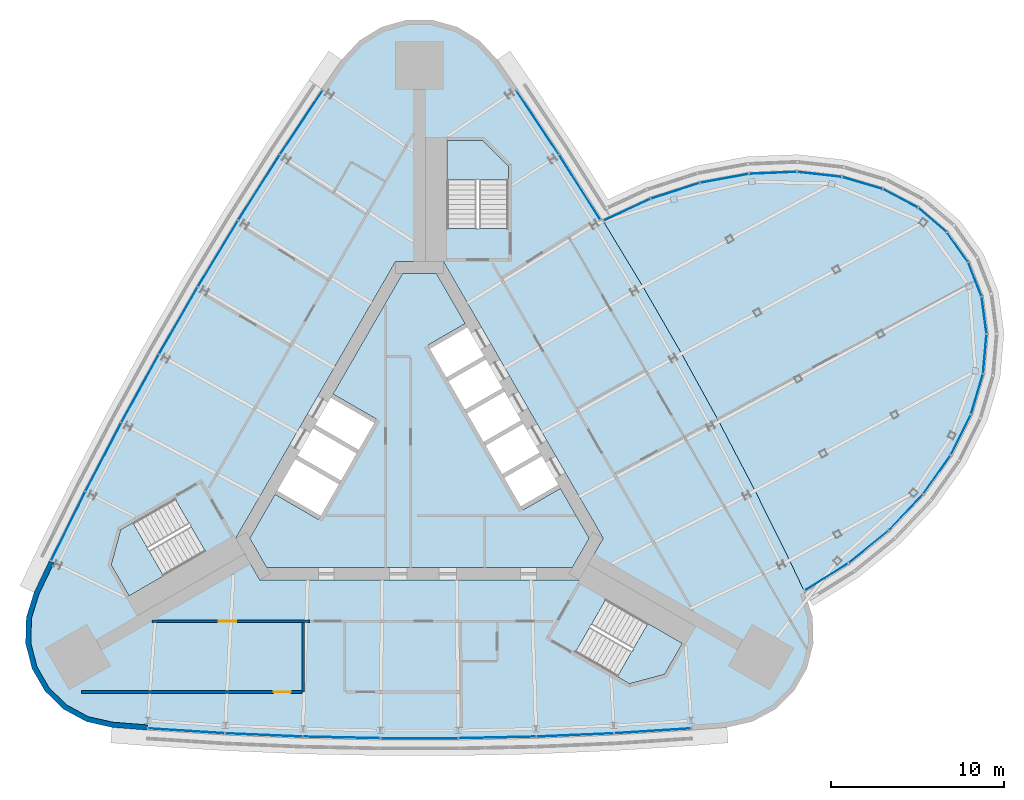
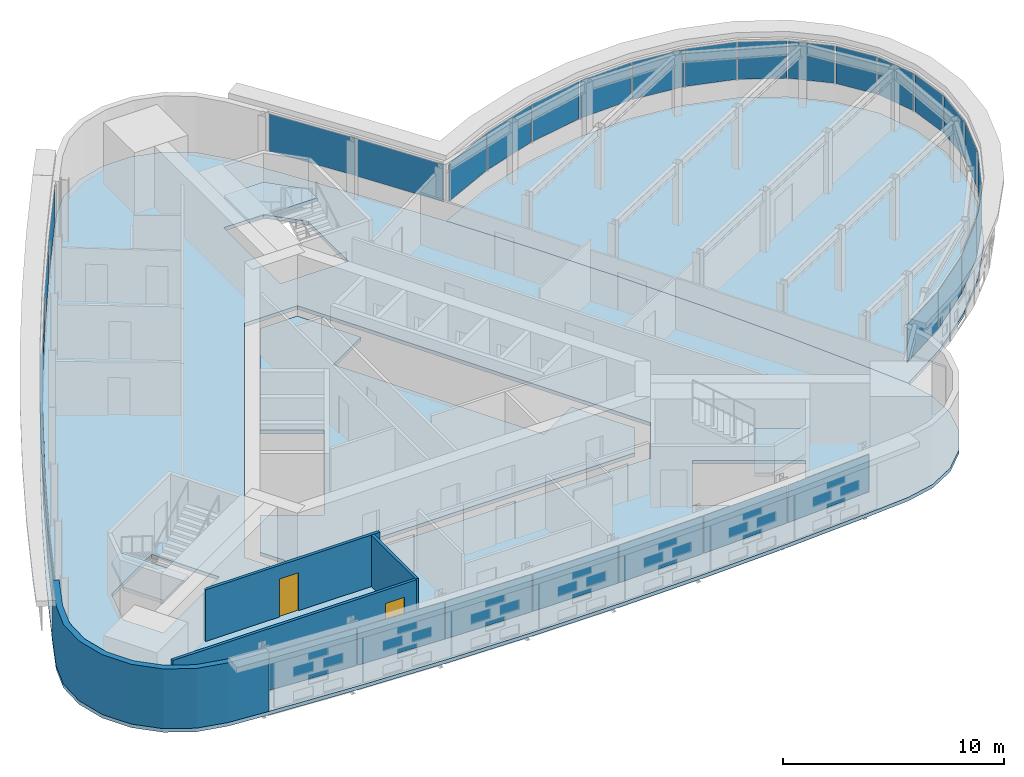
# One storey, part 9 of 15: 34 plates, 6 slabs, 4 walls, 2 doors, 2 openings, 7 elements without a shape of their own.
"""IFC4 building model written with IfcOpenShell, lengths in metres."""

from ifc_helpers import new_model, si_unit, direction, frame, frame_2d, origin, origin_2d, place, context, subcontext, project, spatial, polyline, rectangle, outline, extrude, material, layer, layer_set, type_object, element, fill, aggregate, save


model = new_model("IFC4")

# Units and contexts
model_context = context("Model", 3, precision=1e-05, world=origin(), true_north=direction((0.0, 1.0)))
body_context = subcontext(model_context, "Body", "Model", "MODEL_VIEW")
ifc_project = project(units=[si_unit("LENGTHUNIT", "METRE"), si_unit("AREAUNIT", "SQUARE_METRE"), si_unit("VOLUMEUNIT", "CUBIC_METRE"), si_unit("PLANEANGLEUNIT", "RADIAN"), si_unit("MASSUNIT", "GRAM", prefix="KILO")], contexts=[model_context])

# Site, building, storey
site_placement = place(None, origin())
site = spatial("IfcSite", under=ifc_project, at=site_placement, CompositionType="ELEMENT")
building_placement = place(site_placement, origin())
building = spatial("IfcBuilding", under=site, at=building_placement, Name="Noor Cloister Tower", CompositionType="ELEMENT")
storey_placement = place(building_placement, frame((0.0, 0.0, 181.5)))
storey = spatial("IfcBuildingStorey", under=building, at=storey_placement, Name="L46", CompositionType="ELEMENT", Elevation=181.5)

# Slabs
ifc_material_1 = material(Name="Concrete C40/50", Category="concrete")
ifc_layer_1 = layer(ifc_material_1, 0.199951171875)
ifc_layer_set_1 = layer_set([ifc_layer_1], Name="Core floor slab 200 C40/50")
slab_type_1 = type_object("IfcSlabType", Name="Core floor slab 200 C40/50", PredefinedType="FLOOR", material=ifc_layer_set_1)
slab_1_placement = place(storey_placement, frame((0.0, 0.0, -0.199951171875)))
element("IfcSlab", 1, at=slab_1_placement, inside=storey, type_object=slab_type_1, Name="Core floor L46", PredefinedType="FLOOR", context=body_context, shape_type="SweptSolid", body=[
    extrude(outline(polyline([(2.643798828125, 7.877197265625), (0.9814453125, 10.75634765625), (-0.9814453125, 10.75634765625), (-4.993896484375, 3.806884765625), (-2.482421875, 2.35693359375), (-5.832275390625, -3.4453125), (-8.34375, -1.995361328125), (-9.80615234375, -4.5283203125), (-8.82470703125, -6.228271484375), (8.82470703125, -6.228271484375), (9.80615234375, -4.5283203125), (8.143798828125, -1.64892578125), (5.978759765625, -2.89892578125), (0.478759765625, 6.627197265625), (2.643798828125, 7.877197265625)])), origin(), (0.0, 0.0, 1.0), 0.199951171875),
])
ifc_material_2 = material(Name="Concrete C40/50", Category="concrete")
ifc_layer_2 = layer(ifc_material_2, 0.199951171875)
ifc_layer_set_2 = layer_set([ifc_layer_2], Name="Floor slab 200 C40/50")
slab_type_2 = type_object("IfcSlabType", Name="Floor slab 200 C40/50", PredefinedType="FLOOR", material=ifc_layer_set_2)
slab_2_placement = place(storey_placement, frame((0.0, 0.0, -0.199951171875)))
element("IfcSlab", 2, at=slab_2_placement, inside=storey, type_object=slab_type_2, Name="Floor slab L46", PredefinedType="FLOOR", context=body_context, shape_type="SweptSolid", body=[
    extrude(outline(polyline([(4.496826171875, 23.113037109375), (3.47802734375, 24.2177734375), (2.197509765625, 25.00390625), (0.751220703125, 25.412353515625), (-0.751220703125, 25.412353515625), (-2.197509765625, 25.00390625), (-3.47802734375, 24.2177734375), (-4.496826171875, 23.113037109375), (-5.65234375, 21.43310546875), (-8.145263671875, 17.68701171875), (-10.55810546875, 13.888671875), (-12.89013671875, 10.0400390625), (-15.14013671875, 6.14306640625), (-17.30712890625, 2.19921875), (-19.389892578125, -1.78955078125), (-21.387939453125, -5.821533203125), (-22.264892578125, -7.662353515625), (-22.712158203125, -9.096923828125), (-22.752685546875, -10.598876953125), (-22.38330078125, -12.055419921875), (-21.632080078125, -13.35693359375), (-20.55517578125, -14.405029296875), (-19.234130859375, -15.120849609375), (-17.76806640625, -15.450927734375), (-15.735595703125, -15.611572265625), (-11.24462890625, -15.8974609375), (-6.748779296875, -16.087890625), (-2.25, -16.183349609375), (2.25, -16.183349609375), (6.748779296875, -16.087890625), (11.24462890625, -15.8974609375), (15.735595703125, -15.611572265625), (17.76806640625, -15.450927734375), (19.234130859375, -15.120849609375), (20.55517578125, -14.405029296875), (21.632080078125, -13.35693359375), (22.38330078125, -12.055419921875), (22.752685546875, -10.598876953125), (22.712158203125, -9.096923828125), (22.264892578125, -7.662353515625), (21.387939453125, -5.821533203125), (19.389892578125, -1.78955078125), (17.30712890625, 2.19921875), (15.14013671875, 6.14306640625), (12.89013671875, 10.0400390625), (10.55810546875, 13.888671875), (8.145263671875, 17.68701171875), (5.65234375, 21.43310546875), (4.496826171875, 23.113037109375)]), holes=[polyline([(8.999755859375, -11.126220703125), (12.131591796875, -12.934326171875), (14.1572265625, -12.3916015625), (15.19091796875, -10.601318359375), (10.774658203125, -8.0517578125), (8.999755859375, -11.126220703125)]), polyline([(-17.81005859375, -6.064697265625), (-16.776611328125, -7.85498046875), (-12.3603515625, -5.305419921875), (-14.13525390625, -2.23095703125), (-16.662841796875, -3.690185546875), (-17.267333984375, -4.039306640625), (-17.81005859375, -6.064697265625)]), polyline([(-10.6142578125, -4.5283203125), (-9.228759765625, -6.92822265625), (9.228759765625, -6.92822265625), (10.6142578125, -4.5283203125), (1.3857421875, 11.456298828125), (-1.3857421875, 11.456298828125), (-10.6142578125, -4.5283203125)]), polyline([(3.65283203125, 18.456298828125), (1.585693359375, 18.456298828125), (1.585693359375, 13.35693359375), (5.135498046875, 13.35693359375), (5.135498046875, 16.9736328125), (3.65283203125, 18.456298828125)])]), origin(), (0.0, 0.0, 1.0), 0.199951171875),
])

# Curtain wall, plates
ifc_material_3 = material(Name="Aluminium 6063-T6 anodised", Category="aluminium")
curtain_wall_type_1 = type_object("IfcCurtainWallType", Name="Sky bar curtain wall, lower bars CW2", PredefinedType="NOTDEFINED", material=ifc_material_3)
curtain_wall_1_placement = place(storey_placement, origin())
curtain_wall_1 = element("IfcCurtainWall", 3, at=curtain_wall_1_placement, inside=storey, type_object=curtain_wall_type_1, Name="CW2 L46 NE sky bar run 3", PredefinedType="NOTDEFINED")
ifc_material_4 = material(Name="Clear laminated glass 2 x 8 mm", Category="glass")
ifc_layer_3 = layer(ifc_material_4, 0.028076171875)
ifc_layer_set_3 = layer_set([ifc_layer_3], Name="Glass panel CW2")
plate_type_1 = type_object("IfcPlateType", Name="Glass panel CW2", PredefinedType="CURTAIN_PANEL", material=ifc_layer_set_3)
plate_1_placement = place(storey_placement, frame((23.516845703125, -6.761474609375, 1.08984375), z_axis=(0.0, 0.0, 1.0), x_axis=(0.84786689891, 0.530209130186, 0.0)))
plate_1 = element("IfcPlate", 4, at=plate_1_placement, type_object=plate_type_1, Name="CW2 glass panel 1", PredefinedType="CURTAIN_PANEL", context=body_context, shape_type="SweptSolid", body=[
    extrude(rectangle(XDim=2.938232421875, YDim=0.028076171875, at=origin_2d()), origin(), (0.0, 0.0, 1.0), 2.070068359375),
])
plate_2_placement = place(storey_placement, frame((25.945556640625, -5.024169921875, 1.08984375), z_axis=(0.0, 0.0, 1.0), x_axis=(0.775546572159, 0.63129035666, 0.0)))
plate_2 = element("IfcPlate", 5, at=plate_2_placement, type_object=plate_type_1, Name="CW2 glass panel 2", PredefinedType="CURTAIN_PANEL", context=body_context, shape_type="SweptSolid", body=[
    extrude(rectangle(XDim=2.925048828125, YDim=0.028076171875, at=origin_2d()), origin(), (0.0, 0.0, 1.0), 2.070068359375),
])
plate_3_placement = place(storey_placement, frame((28.09765625, -3.0302734375, 1.08984375), z_axis=(0.0, 0.0, 1.0), x_axis=(0.68700661368, 0.726651163049, 0.0)))
plate_3 = element("IfcPlate", 6, at=plate_3_placement, type_object=plate_type_1, Name="CW2 glass panel 3", PredefinedType="CURTAIN_PANEL", context=body_context, shape_type="SweptSolid", body=[
    extrude(rectangle(XDim=2.834716796875, YDim=0.028076171875, at=origin_2d()), origin(), (0.0, 0.0, 1.0), 2.070068359375),
])
plate_4_placement = place(storey_placement, frame((29.89306640625, -0.849365234375, 1.08984375), z_axis=(0.0, 0.0, 1.0), x_axis=(0.578620922196, 0.815596608868, 0.0)))
plate_4 = element("IfcPlate", 7, at=plate_4_placement, type_object=plate_type_1, Name="CW2 glass panel 4", PredefinedType="CURTAIN_PANEL", context=body_context, shape_type="SweptSolid", body=[
    extrude(rectangle(XDim=2.708251953125, YDim=0.028076171875, at=origin_2d()), origin(), (0.0, 0.0, 1.0), 2.070068359375),
])
plate_5_placement = place(storey_placement, frame((31.27734375, 1.451171875, 1.08984375), z_axis=(0.0, 0.0, 1.0), x_axis=(0.445709448306, 0.895177684982, 0.0)))
plate_5 = element("IfcPlate", 8, at=plate_5_placement, type_object=plate_type_1, Name="CW2 glass panel 5", PredefinedType="CURTAIN_PANEL", context=body_context, shape_type="SweptSolid", body=[
    extrude(rectangle(XDim=2.55712890625, YDim=0.028076171875, at=origin_2d()), origin(), (0.0, 0.0, 1.0), 2.070068359375),
])
plate_6_placement = place(storey_placement, frame((32.208740234375, 3.800537109375, 1.08984375), z_axis=(0.0, 0.0, 1.0), x_axis=(0.283470890203, 0.958980841523, 0.0)))
plate_6 = element("IfcPlate", 9, at=plate_6_placement, type_object=plate_type_1, Name="CW2 glass panel 6", PredefinedType="CURTAIN_PANEL", context=body_context, shape_type="SweptSolid", body=[
    extrude(rectangle(XDim=2.396240234375, YDim=0.028076171875, at=origin_2d()), origin(), (0.0, 0.0, 1.0), 2.070068359375),
])
plate_7_placement = place(storey_placement, frame((32.66015625, 6.126953125, 1.08984375), z_axis=(0.0, 0.0, 1.0), x_axis=(0.089432915774, 0.995992848155, 0.0)))
plate_7 = element("IfcPlate", 10, at=plate_7_placement, type_object=plate_type_1, Name="CW2 glass panel 7", PredefinedType="CURTAIN_PANEL", context=body_context, shape_type="SweptSolid", body=[
    extrude(rectangle(XDim=2.24560546875, YDim=0.028076171875, at=origin_2d()), origin(), (0.0, 0.0, 1.0), 2.070068359375),
])
plate_8_placement = place(storey_placement, frame((32.618896484375, 8.359130859375, 1.08984375), z_axis=(0.0, 0.0, 1.0), x_axis=(-0.131998823771, 0.991249872899, 0.0)))
plate_8 = element("IfcPlate", 11, at=plate_8_placement, type_object=plate_type_1, Name="CW2 glass panel 8", PredefinedType="CURTAIN_PANEL", context=body_context, shape_type="SweptSolid", body=[
    extrude(rectangle(XDim=2.126708984375, YDim=0.028076171875, at=origin_2d()), origin(), (0.0, 0.0, 1.0), 2.070068359375),
])
plate_9_placement = place(storey_placement, frame((32.087646484375, 10.430908203125, 1.08984375), z_axis=(0.0, 0.0, 1.0), x_axis=(-0.364789260282, 0.931090111419, 0.0)))
plate_9 = element("IfcPlate", 12, at=plate_9_placement, type_object=plate_type_1, Name="CW2 glass panel 9", PredefinedType="CURTAIN_PANEL", context=body_context, shape_type="SweptSolid", body=[
    extrude(rectangle(XDim=2.060791015625, YDim=0.028076171875, at=origin_2d()), origin(), (0.0, 0.0, 1.0), 2.070068359375),
])
plate_10_placement = place(storey_placement, frame((31.082763671875, 12.280517578125, 1.08984375), z_axis=(0.0, 0.0, 1.0), x_axis=(-0.582524001804, 0.812813500947, 0.0)))
plate_10 = element("IfcPlate", 13, at=plate_10_placement, type_object=plate_type_1, Name="CW2 glass panel 10", PredefinedType="CURTAIN_PANEL", context=body_context, shape_type="SweptSolid", body=[
    extrude(rectangle(XDim=2.060791015625, YDim=0.028076171875, at=origin_2d()), origin(), (0.0, 0.0, 1.0), 2.070068359375),
])
plate_11_placement = place(storey_placement, frame((29.634033203125, 13.853759765625, 1.08984375), z_axis=(0.0, 0.0, 1.0), x_axis=(-0.759700094363, 0.650273609049, 0.0)))
plate_11 = element("IfcPlate", 14, at=plate_11_placement, type_object=plate_type_1, Name="CW2 glass panel 11", PredefinedType="CURTAIN_PANEL", context=body_context, shape_type="SweptSolid", body=[
    extrude(rectangle(XDim=2.126708984375, YDim=0.028076171875, at=origin_2d()), origin(), (0.0, 0.0, 1.0), 2.070068359375),
])
plate_12_placement = place(storey_placement, frame((27.78369140625, 15.103515625, 1.08984375), z_axis=(0.0, 0.0, 1.0), x_axis=(-0.884205134097, 0.467098791303, 0.0)))
plate_12 = element("IfcPlate", 15, at=plate_12_placement, type_object=plate_type_1, Name="CW2 glass panel 12", PredefinedType="CURTAIN_PANEL", context=body_context, shape_type="SweptSolid", body=[
    extrude(rectangle(XDim=2.24560546875, YDim=0.028076171875, at=origin_2d()), origin(), (0.0, 0.0, 1.0), 2.070068359375),
])
plate_13_placement = place(storey_placement, frame((25.586669921875, 15.9912109375, 1.08984375), z_axis=(0.0, 0.0, 1.0), x_axis=(-0.958771871312, 0.284176879393, 0.0)))
plate_13 = element("IfcPlate", 16, at=plate_13_placement, type_object=plate_type_1, Name="CW2 glass panel 13", PredefinedType="CURTAIN_PANEL", context=body_context, shape_type="SweptSolid", body=[
    extrude(rectangle(XDim=2.396240234375, YDim=0.028076171875, at=origin_2d()), origin(), (0.0, 0.0, 1.0), 2.070068359375),
])
plate_14_placement = place(storey_placement, frame((23.108642578125, 16.488525390625, 1.08984375), z_axis=(0.0, 0.0, 1.0), x_axis=(-0.993555280194, 0.11334860034, 0.0)))
plate_14 = element("IfcPlate", 17, at=plate_14_placement, type_object=plate_type_1, Name="CW2 glass panel 14", PredefinedType="CURTAIN_PANEL", context=body_context, shape_type="SweptSolid", body=[
    extrude(rectangle(XDim=2.55712890625, YDim=0.028076171875, at=origin_2d()), origin(), (0.0, 0.0, 1.0), 2.070068359375),
])
plate_15_placement = place(storey_placement, frame((20.425537109375, 16.57958984375, 1.08984375), z_axis=(0.0, 0.0, 1.0), x_axis=(-0.999139934485, -0.041465543728, 0.0)))
plate_15 = element("IfcPlate", 18, at=plate_15_placement, type_object=plate_type_1, Name="CW2 glass panel 15", PredefinedType="CURTAIN_PANEL", context=body_context, shape_type="SweptSolid", body=[
    extrude(rectangle(XDim=2.708251953125, YDim=0.028076171875, at=origin_2d()), origin(), (0.0, 0.0, 1.0), 2.070068359375),
])
plate_16_placement = place(storey_placement, frame((17.61865234375, 16.26025390625, 1.08984375), z_axis=(0.0, 0.0, 1.0), x_axis=(-0.983519444247, -0.180802386011, 0.0)))
plate_16 = element("IfcPlate", 19, at=plate_16_placement, type_object=plate_type_1, Name="CW2 glass panel 16", PredefinedType="CURTAIN_PANEL", context=body_context, shape_type="SweptSolid", body=[
    extrude(rectangle(XDim=2.834716796875, YDim=0.028076171875, at=origin_2d()), origin(), (0.0, 0.0, 1.0), 2.070068359375),
])
plate_17_placement = place(storey_placement, frame((14.774658203125, 15.54052734375, 1.08984375), z_axis=(0.0, 0.0, 1.0), x_axis=(-0.951715077385, -0.306982754367, 0.0)))
plate_17 = element("IfcPlate", 20, at=plate_17_placement, type_object=plate_type_1, Name="CW2 glass panel 17", PredefinedType="CURTAIN_PANEL", context=body_context, shape_type="SweptSolid", body=[
    extrude(rectangle(XDim=2.925048828125, YDim=0.028076171875, at=origin_2d()), origin(), (0.0, 0.0, 1.0), 2.070068359375),
])
plate_18_placement = place(storey_placement, frame((11.995361328125, 14.448486328125, 1.08984375), z_axis=(0.0, 0.0, 1.0), x_axis=(-0.906283503485, -0.42267033408, 0.0)))
plate_18 = element("IfcPlate", 21, at=plate_18_placement, type_object=plate_type_1, Name="CW2 glass panel 18", PredefinedType="CURTAIN_PANEL", context=body_context, shape_type="SweptSolid", body=[
    extrude(rectangle(XDim=2.938232421875, YDim=0.028076171875, at=origin_2d()), origin(), (0.0, 0.0, 1.0), 2.070068359375),
])
aggregate(curtain_wall_1, [plate_1, plate_2, plate_3, plate_4, plate_5, plate_6, plate_7, plate_8, plate_9, plate_10, plate_11, plate_12, plate_13, plate_14, plate_15, plate_16, plate_17, plate_18])

ifc_material_5 = material(Name="Aluminium 6063-T6 anodised", Category="aluminium")
curtain_wall_type_2 = type_object("IfcCurtainWallType", Name="Ribbon curtain wall, upper tower CW5", PredefinedType="NOTDEFINED", material=ifc_material_5)
curtain_wall_2_placement = place(storey_placement, origin())
curtain_wall_2 = element("IfcCurtainWall", 22, at=curtain_wall_2_placement, inside=storey, type_object=curtain_wall_type_2, Name="CW5 L46 NW run 1", PredefinedType="NOTDEFINED")
ifc_material_6 = material(Name="Clear laminated glass 2 x 8 mm", Category="glass")
ifc_layer_4 = layer(ifc_material_6, 0.028076171875)
ifc_layer_set_4 = layer_set([ifc_layer_4], Name="Glass panel CW5")
plate_type_2 = type_object("IfcPlateType", Name="Glass panel CW5", PredefinedType="CURTAIN_PANEL", material=ifc_layer_set_4)
plate_19_placement = place(storey_placement, frame((-6.824951171875, 19.490478515625, 1.08984375), z_axis=(0.0, 0.0, 1.0), x_axis=(-0.553985210309, -0.832526508142, 0.0)))
plate_19 = element("IfcPlate", 23, at=plate_19_placement, type_object=plate_type_2, Name="CW5 glass panel 1", PredefinedType="CURTAIN_PANEL", context=body_context, shape_type="SweptSolid", body=[
    extrude(rectangle(XDim=4.413818359375, YDim=0.028076171875, at=origin_2d()), origin(), (0.0, 0.0, 1.0), 2.070068359375),
])
plate_20_placement = place(storey_placement, frame((-9.267333984375, 15.734130859375, 1.08984375), z_axis=(0.0, 0.0, 1.0), x_axis=(-0.536228033426, -0.844073158066, 0.0)))
plate_20 = element("IfcPlate", 24, at=plate_20_placement, type_object=plate_type_2, Name="CW5 glass panel 2", PredefinedType="CURTAIN_PANEL", context=body_context, shape_type="SweptSolid", body=[
    extrude(rectangle(XDim=4.44775390625, YDim=0.028076171875, at=origin_2d()), origin(), (0.0, 0.0, 1.0), 2.070068359375),
])
plate_21_placement = place(storey_placement, frame((-11.638671875, 11.91259765625, 1.08984375), z_axis=(0.0, 0.0, 1.0), x_axis=(-0.518230266954, -0.855241129982, 0.0)))
plate_21 = element("IfcPlate", 25, at=plate_21_placement, type_object=plate_type_2, Name="CW5 glass panel 3", PredefinedType="CURTAIN_PANEL", context=body_context, shape_type="SweptSolid", body=[
    extrude(rectangle(XDim=4.44775390625, YDim=0.028076171875, at=origin_2d()), origin(), (0.0, 0.0, 1.0), 2.070068359375),
])
plate_22_placement = place(storey_placement, frame((-13.928466796875, 8.041748046875, 1.08984375), z_axis=(0.0, 0.0, 1.0), x_axis=(-0.5, -0.866025403784, 0.0)))
plate_22 = element("IfcPlate", 26, at=plate_22_placement, type_object=plate_type_2, Name="CW5 glass panel 4", PredefinedType="CURTAIN_PANEL", context=body_context, shape_type="SweptSolid", body=[
    extrude(rectangle(XDim=4.44775390625, YDim=0.028076171875, at=origin_2d()), origin(), (0.0, 0.0, 1.0), 2.070068359375),
])
plate_23_placement = place(storey_placement, frame((-16.135986328125, 4.123046875, 1.08984375), z_axis=(0.0, 0.0, 1.0), x_axis=(-0.481545411448, -0.876421141183, 0.0)))
plate_23 = element("IfcPlate", 27, at=plate_23_placement, type_object=plate_type_2, Name="CW5 glass panel 5", PredefinedType="CURTAIN_PANEL", context=body_context, shape_type="SweptSolid", body=[
    extrude(rectangle(XDim=4.44775390625, YDim=0.028076171875, at=origin_2d()), origin(), (0.0, 0.0, 1.0), 2.070068359375),
])
plate_24_placement = place(storey_placement, frame((-18.259765625, 0.15869140625, 1.08984375), z_axis=(0.0, 0.0, 1.0), x_axis=(-0.462874780825, -0.886423678201, 0.0)))
plate_24 = element("IfcPlate", 28, at=plate_24_placement, type_object=plate_type_2, Name="CW5 glass panel 6", PredefinedType="CURTAIN_PANEL", context=body_context, shape_type="SweptSolid", body=[
    extrude(rectangle(XDim=4.44775390625, YDim=0.028076171875, at=origin_2d()), origin(), (0.0, 0.0, 1.0), 2.070068359375),
])
plate_25_placement = place(storey_placement, frame((-20.291748046875, -3.834716796875, 1.08984375), z_axis=(0.0, 0.0, 1.0), x_axis=(-0.44399650022, -0.89602851952, 0.0)))
plate_25 = element("IfcPlate", 29, at=plate_25_placement, type_object=plate_type_2, Name="CW5 glass panel 7", PredefinedType="CURTAIN_PANEL", context=body_context, shape_type="SweptSolid", body=[
    extrude(rectangle(XDim=4.413818359375, YDim=0.028076171875, at=origin_2d()), origin(), (0.0, 0.0, 1.0), 2.070068359375),
])
aggregate(curtain_wall_2, [plate_19, plate_20, plate_21, plate_22, plate_23, plate_24, plate_25])

curtain_wall_3_placement = place(storey_placement, origin())
curtain_wall_3 = element("IfcCurtainWall", 30, at=curtain_wall_3_placement, inside=storey, type_object=curtain_wall_type_2, Name="CW5 L46 S run 2", PredefinedType="NOTDEFINED")
plate_26_placement = place(storey_placement, frame((-13.466796875, -15.65576171875, 1.08984375), z_axis=(0.0, 0.0, 1.0), x_axis=(0.997981710529, -0.063502011378, 0.0)))
plate_26 = element("IfcPlate", 31, at=plate_26_placement, type_object=plate_type_2, Name="CW5 glass panel 1", PredefinedType="CURTAIN_PANEL", context=body_context, shape_type="SweptSolid", body=[
    extrude(rectangle(XDim=4.413818359375, YDim=0.028076171875, at=origin_2d()), origin(), (0.0, 0.0, 1.0), 2.070068359375),
])
plate_27_placement = place(storey_placement, frame((-8.99267578125, -15.892822265625, 1.08984375), z_axis=(0.0, 0.0, 1.0), x_axis=(0.999102814251, -0.042350520135, 0.0)))
plate_27 = element("IfcPlate", 32, at=plate_27_placement, type_object=plate_type_2, Name="CW5 glass panel 2", PredefinedType="CURTAIN_PANEL", context=body_context, shape_type="SweptSolid", body=[
    extrude(rectangle(XDim=4.44775390625, YDim=0.028076171875, at=origin_2d()), origin(), (0.0, 0.0, 1.0), 2.070068359375),
])
plate_28_placement = place(storey_placement, frame((-4.497314453125, -16.03564453125, 1.08984375), z_axis=(0.0, 0.0, 1.0), x_axis=(0.999775678403, -0.021180011201, 0.0)))
plate_28 = element("IfcPlate", 33, at=plate_28_placement, type_object=plate_type_2, Name="CW5 glass panel 3", PredefinedType="CURTAIN_PANEL", context=body_context, shape_type="SweptSolid", body=[
    extrude(rectangle(XDim=4.44775390625, YDim=0.028076171875, at=origin_2d()), origin(), (0.0, 0.0, 1.0), 2.070068359375),
])
plate_29_placement = place(storey_placement, frame((0.0, -16.083251953125, 1.08984375), z_axis=(0.0, 0.0, 1.0), x_axis=(1.0, 0.0, 0.0)))
plate_29 = element("IfcPlate", 34, at=plate_29_placement, type_object=plate_type_2, Name="CW5 glass panel 4", PredefinedType="CURTAIN_PANEL", context=body_context, shape_type="SweptSolid", body=[
    extrude(rectangle(XDim=4.44775390625, YDim=0.028076171875, at=origin_2d()), origin(), (0.0, 0.0, 1.0), 2.070068359375),
])
plate_30_placement = place(storey_placement, frame((4.497314453125, -16.03564453125, 1.08984375), z_axis=(0.0, 0.0, 1.0), x_axis=(0.999775678403, 0.021180011201, 0.0)))
plate_30 = element("IfcPlate", 35, at=plate_30_placement, type_object=plate_type_2, Name="CW5 glass panel 5", PredefinedType="CURTAIN_PANEL", context=body_context, shape_type="SweptSolid", body=[
    extrude(rectangle(XDim=4.44775390625, YDim=0.028076171875, at=origin_2d()), origin(), (0.0, 0.0, 1.0), 2.070068359375),
])
plate_31_placement = place(storey_placement, frame((8.99267578125, -15.892822265625, 1.08984375), z_axis=(0.0, 0.0, 1.0), x_axis=(0.999102814251, 0.042350520135, 0.0)))
plate_31 = element("IfcPlate", 36, at=plate_31_placement, type_object=plate_type_2, Name="CW5 glass panel 6", PredefinedType="CURTAIN_PANEL", context=body_context, shape_type="SweptSolid", body=[
    extrude(rectangle(XDim=4.44775390625, YDim=0.028076171875, at=origin_2d()), origin(), (0.0, 0.0, 1.0), 2.070068359375),
])
plate_32_placement = place(storey_placement, frame((13.466796875, -15.65576171875, 1.08984375), z_axis=(0.0, 0.0, 1.0), x_axis=(0.997981710529, 0.063502011378, 0.0)))
plate_32 = element("IfcPlate", 37, at=plate_32_placement, type_object=plate_type_2, Name="CW5 glass panel 7", PredefinedType="CURTAIN_PANEL", context=body_context, shape_type="SweptSolid", body=[
    extrude(rectangle(XDim=4.413818359375, YDim=0.028076171875, at=origin_2d()), origin(), (0.0, 0.0, 1.0), 2.070068359375),
])
aggregate(curtain_wall_3, [plate_26, plate_27, plate_28, plate_29, plate_30, plate_31, plate_32])

curtain_wall_4_placement = place(storey_placement, origin())
curtain_wall_4 = element("IfcCurtainWall", 38, at=curtain_wall_4_placement, inside=storey, type_object=curtain_wall_type_2, Name="CW5 L46 NE run 4", PredefinedType="NOTDEFINED")
plate_33_placement = place(storey_placement, frame((9.258056640625, 15.74853515625, 1.08984375), z_axis=(0.0, 0.0, 1.0), x_axis=(-0.536228033426, 0.844073158066, 0.0)))
plate_33 = element("IfcPlate", 39, at=plate_33_placement, type_object=plate_type_2, Name="CW5 glass panel 1", PredefinedType="CURTAIN_PANEL", context=body_context, shape_type="SweptSolid", body=[
    extrude(rectangle(XDim=4.413818359375, YDim=0.028076171875, at=origin_2d()), origin(), (0.0, 0.0, 1.0), 2.070068359375),
])
plate_34_placement = place(storey_placement, frame((6.824951171875, 19.490478515625, 1.08984375), z_axis=(0.0, 0.0, 1.0), x_axis=(-0.553985210309, 0.832526508142, 0.0)))
plate_34 = element("IfcPlate", 40, at=plate_34_placement, type_object=plate_type_2, Name="CW5 glass panel 2", PredefinedType="CURTAIN_PANEL", context=body_context, shape_type="SweptSolid", body=[
    extrude(rectangle(XDim=4.413818359375, YDim=0.028076171875, at=origin_2d()), origin(), (0.0, 0.0, 1.0), 2.070068359375),
])
aggregate(curtain_wall_4, [plate_33, plate_34])

# Slab
ifc_material_7 = material(Name="Concrete C40/50", Category="concrete")
ifc_layer_5 = layer(ifc_material_7, 0.199951171875)
ifc_layer_set_5 = layer_set([ifc_layer_5], Name="Pod floor slab 200")
slab_type_3 = type_object("IfcSlabType", Name="Pod floor slab 200", PredefinedType="FLOOR", material=ifc_layer_set_5)
slab_3_placement = place(storey_placement, frame((0.0, 0.0, -0.199951171875)))
element("IfcSlab", 41, at=slab_3_placement, inside=storey, type_object=slab_type_3, Name="Pod floor slab L46", PredefinedType="FLOOR", context=body_context, shape_type="SweptSolid", body=[
    extrude(outline(polyline([(22.264892578125, -7.662353515625), (24.84619140625, -6.048095703125), (27.17138671875, -4.155517578125), (29.16943359375, -2.0419921875), (30.780029296875, 0.22802734375), (31.953857421875, 2.5859375), (32.65576171875, 4.959716796875), (32.86376953125, 7.27734375), (32.572021484375, 9.468505859375), (31.7890625, 11.466552734375), (30.5390625, 13.210693359375), (28.85986328125, 14.648193359375), (26.80224609375, 15.735107421875), (24.428955078125, 16.4384765625), (21.81201171875, 16.737060546875), (19.03125, 16.62158203125), (16.170654296875, 16.095947265625), (13.3173828125, 15.175537109375), (10.55810546875, 13.888671875), (12.89013671875, 10.0400390625), (15.14013671875, 6.14306640625), (17.30712890625, 2.19921875), (19.389892578125, -1.78955078125), (21.387939453125, -5.821533203125), (22.264892578125, -7.662353515625)])), origin(), (0.0, 0.0, 1.0), 0.199951171875),
])

# Stair, slab
ifc_material_8 = material(Name="Concrete C40/50", Category="concrete")
stair_type = type_object("IfcStairType", Name="Exit stair 22 risers", PredefinedType="HALF_TURN_STAIR", material=ifc_material_8)
stair_1_placement = place(storey_placement, origin())
stair_1 = element("IfcStair", 42, at=stair_1_placement, inside=storey, type_object=stair_type, Name="Exit stair ST1 L46", PredefinedType="HALF_TURN_STAIR")
ifc_material_9 = material(Name="Concrete C40/50", Category="concrete")
ifc_layer_6 = layer(ifc_material_9, 0.199951171875)
ifc_layer_set_6 = layer_set([ifc_layer_6], Name="Stair landing 200 C40/50")
slab_type_4 = type_object("IfcSlabType", Name="Stair landing 200 C40/50", PredefinedType="LANDING", material=ifc_layer_set_6)
slab_4_placement = place(storey_placement, frame((0.0, 0.0, 1.60009765625)))
slab_4 = element("IfcSlab", 43, at=slab_4_placement, type_object=slab_type_4, Name="ST1 landing 1", PredefinedType="LANDING", context=body_context, shape_type="SweptSolid", body=[
    extrude(outline(polyline([(5.135498046875, 16.15576171875), (5.135498046875, 16.9736328125), (3.65283203125, 18.456298828125), (1.585693359375, 18.456298828125), (1.585693359375, 16.15576171875), (5.135498046875, 16.15576171875)])), origin(), (0.0, 0.0, 1.0), 0.199951171875),
])
aggregate(stair_1, [slab_4])

stair_2_placement = place(storey_placement, origin())
stair_2 = element("IfcStair", 44, at=stair_2_placement, inside=storey, type_object=stair_type, Name="Exit stair ST2 L46", PredefinedType="HALF_TURN_STAIR")
slab_5_placement = place(storey_placement, frame((0.0, 0.0, 1.60009765625)))
slab_5 = element("IfcSlab", 45, at=slab_5_placement, type_object=slab_type_4, Name="ST2 landing 1", PredefinedType="LANDING", context=body_context, shape_type="SweptSolid", body=[
    extrude(outline(polyline([(-16.55908203125, -3.63037109375), (-17.267333984375, -4.039306640625), (-17.81005859375, -6.064697265625), (-16.776611328125, -7.85498046875), (-14.7841796875, -6.70458984375), (-16.55908203125, -3.63037109375)])), origin(), (0.0, 0.0, 1.0), 0.199951171875),
])
aggregate(stair_2, [slab_5])

stair_3_placement = place(storey_placement, origin())
stair_3 = element("IfcStair", 46, at=stair_3_placement, inside=storey, type_object=stair_type, Name="Exit stair ST3 L46", PredefinedType="HALF_TURN_STAIR")
slab_6_placement = place(storey_placement, frame((0.0, 0.0, 1.60009765625)))
slab_6 = element("IfcSlab", 47, at=slab_6_placement, type_object=slab_type_4, Name="ST3 landing 1", PredefinedType="LANDING", context=body_context, shape_type="SweptSolid", body=[
    extrude(outline(polyline([(11.423583984375, -12.525390625), (12.131591796875, -12.934326171875), (14.1572265625, -12.3916015625), (15.19091796875, -10.601318359375), (13.198486328125, -9.451171875), (11.423583984375, -12.525390625)])), origin(), (0.0, 0.0, 1.0), 0.199951171875),
])
aggregate(stair_3, [slab_6])

# Wall, opening, door
ifc_material_10 = material(Name="Gypsum board partition on steel studs, 150 mm", Category="steel")
ifc_layer_7 = layer(ifc_material_10, 0.14990234375)
ifc_layer_set_7 = layer_set([ifc_layer_7], Name="Flat wall 150")
wall_type_1 = type_object("IfcWallType", Name="Flat wall 150", PredefinedType="PARTITIONING", material=ifc_layer_set_7)
wall_1_placement = place(storey_placement, frame((-15.45703125, -9.328125, 0.0), z_axis=(0.0, 0.0, 1.0), x_axis=(1.0, 0.0, 0.0)))
wall_1 = element("IfcWall", 48, at=wall_1_placement, inside=storey, type_object=wall_type_1, Name="Wall L46-W08", PredefinedType="PARTITIONING", context=body_context, shape_type="SweptSolid", body=[
    extrude(rectangle(XDim=9.123046875, YDim=0.14990234375, at=frame_2d((4.5615234375, 0.0))), origin(), (0.0, 0.0, 1.0), 2.846923828125),
])
opening_1_placement = place(wall_1_placement, frame((3.866943359375, 0.0, 0.0)))
opening_1 = element("IfcOpeningElement", 49, at=opening_1_placement, cuts=wall_1, Name="Opening L46-010", PredefinedType="OPENING", context=body_context, shape_type="SweptSolid", body=[
    extrude(rectangle(XDim=1.0, YDim=2.10009765625, at=frame_2d((0.5, 1.050048828125))), frame((0.0, 0.0849609375, 0.0), z_axis=(0.0, -1.0, 0.0), x_axis=(1.0, 0.0, 0.0)), (0.0, 0.0, 1.0), 0.169921875),
])
ifc_material_11 = material(Name="Timber door leaf with steel frame", Category="steel")
door_type = type_object("IfcDoorType", Name="Interior door 1000 FD60", OperationType="NOTDEFINED", PredefinedType="DOOR", material=ifc_material_11)
door_1_placement = place(opening_1_placement, origin())
door_1 = element("IfcDoor", 50, at=door_1_placement, inside=storey, type_object=door_type, Name="Door L46-010", OperationType="SINGLE_SWING_RIGHT", OverallHeight=2.10009765625, OverallWidth=1.0, PredefinedType="DOOR", context=body_context, shape_type="SweptSolid", body=[
    extrude(rectangle(XDim=1.0, YDim=2.10009765625, at=frame_2d((0.5, 1.050048828125))), frame((0.0, 0.02490234375, 0.0), z_axis=(0.0, -1.0, 0.0), x_axis=(1.0, 0.0, 0.0)), (0.0, 0.0, 1.0), 0.050048828125),
])
fill(opening_1, door_1)

# Wall
wall_2_placement = place(storey_placement, frame((-6.72314453125, -9.4033203125, 0.0), z_axis=(0.0, 0.0, 1.0), x_axis=(0.0, -1.0, 0.0)))
element("IfcWall", 51, at=wall_2_placement, inside=storey, type_object=wall_type_1, Name="Wall L46-W12", PredefinedType="PARTITIONING", context=body_context, shape_type="SweptSolid", body=[
    extrude(rectangle(XDim=4.004638671875, YDim=0.14990234375, at=frame_2d((2.00244140625, 0.0))), origin(), (0.0, 0.0, 1.0), 2.85205078125),
])

# Wall, opening, door
wall_3_placement = place(storey_placement, frame((-19.523193359375, -13.407958984375, 0.0), z_axis=(0.0, 0.0, 1.0), x_axis=(1.0, 0.0, 0.0)))
wall_3 = element("IfcWall", 52, at=wall_3_placement, inside=storey, type_object=wall_type_1, Name="Wall L46-W14", PredefinedType="PARTITIONING", context=body_context, shape_type="SweptSolid", body=[
    extrude(rectangle(XDim=12.72509765625, YDim=0.14990234375, at=frame_2d((6.362548828125, 0.0))), origin(), (0.0, 0.0, 1.0), 2.846923828125),
])
opening_2_placement = place(wall_3_placement, frame((11.100341796875, 0.0, 0.0)))
opening_2 = element("IfcOpeningElement", 53, at=opening_2_placement, cuts=wall_3, Name="Opening L46-009", PredefinedType="OPENING", context=body_context, shape_type="SweptSolid", body=[
    extrude(rectangle(XDim=1.0, YDim=2.10009765625, at=frame_2d((0.5, 1.050048828125))), frame((0.0, 0.0849609375, 0.0), z_axis=(0.0, -1.0, 0.0), x_axis=(1.0, 0.0, 0.0)), (0.0, 0.0, 1.0), 0.169921875),
])
door_2_placement = place(opening_2_placement, origin())
door_2 = element("IfcDoor", 54, at=door_2_placement, inside=storey, type_object=door_type, Name="Door L46-009", OperationType="SINGLE_SWING_LEFT", OverallHeight=2.10009765625, OverallWidth=1.0, PredefinedType="DOOR", context=body_context, shape_type="SweptSolid", body=[
    extrude(rectangle(XDim=1.0, YDim=2.10009765625, at=frame_2d((0.5, 1.050048828125))), frame((0.0, 0.02490234375, 0.0), z_axis=(0.0, -1.0, 0.0), x_axis=(1.0, 0.0, 0.0)), (0.0, 0.0, 1.0), 0.050048828125),
])
fill(opening_2, door_2)

# Wall
ifc_material_12 = material(Name="Limestone", Category="masonry")
ifc_layer_8 = layer(ifc_material_12, 0.300048828125)
ifc_layer_set_8 = layer_set([ifc_layer_8], Name="Limestone cladding 300")
wall_type_2 = type_object("IfcWallType", Name="Limestone cladding 300", PredefinedType="NOTDEFINED", material=ifc_layer_set_8)
wall_4_placement = place(storey_placement, origin())
element("IfcWall", 55, at=wall_4_placement, inside=storey, type_object=wall_type_2, Name="Limestone pier cladding L46 1.1", PredefinedType="NOTDEFINED", context=body_context, shape_type="SweptSolid", body=[
    extrude(outline(polyline([(-21.387939453125, -5.821533203125), (-22.264892578125, -7.662353515625), (-22.712158203125, -9.096923828125), (-22.752685546875, -10.598876953125), (-22.38330078125, -12.055419921875), (-21.632080078125, -13.35693359375), (-20.55517578125, -14.405029296875), (-19.234130859375, -15.120849609375), (-17.76806640625, -15.450927734375), (-15.735595703125, -15.611572265625), (-15.7119140625, -15.3125), (-17.72314453125, -15.153564453125), (-19.127685546875, -14.83740234375), (-20.375732421875, -14.160888671875), (-21.39306640625, -13.1708984375), (-22.102783203125, -11.94140625), (-22.45166015625, -10.5654296875), (-22.413330078125, -9.146484375), (-21.98486328125, -7.77197265625), (-21.116943359375, -5.95068359375), (-21.387939453125, -5.821533203125)])), origin(), (0.0, 0.0, 1.0), 3.300048828125),
])

save(model, "model.ifc")
